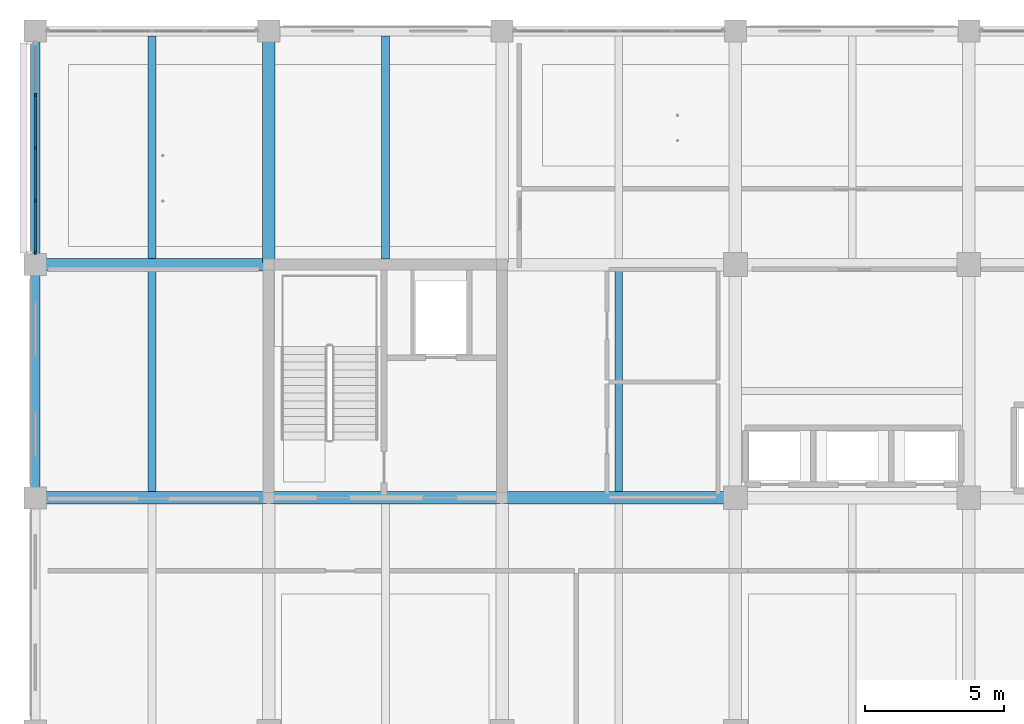
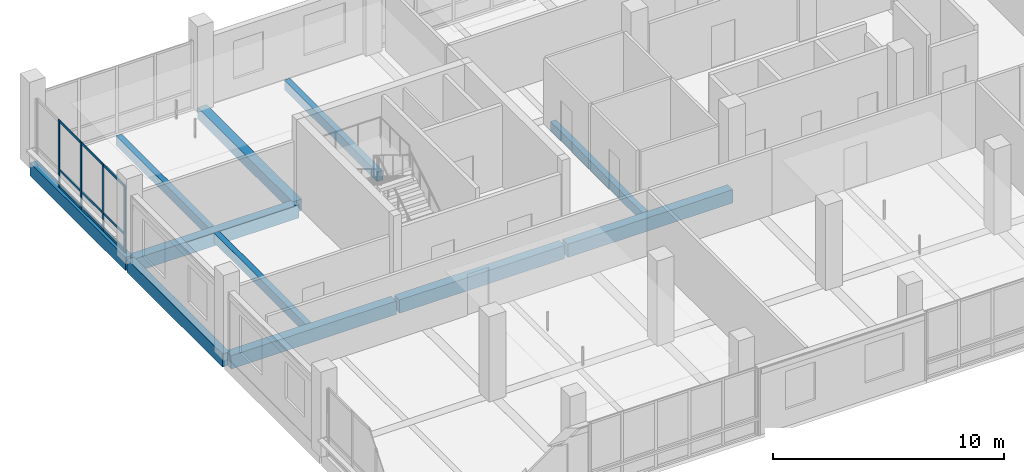
# One storey, part 4 of 36: 13 members, 11 beams, 1 element without a shape of its own.
"""IFC4 building model written with IfcOpenShell, lengths in metres."""

import ifcopenshell
import ifcopenshell.guid

model = None  # the IFC model being written
_history = None  # IfcOwnerHistory: only IFC2X3 demands one
_inside = {}  # id of a spatial element -> (the spatial element, [elements in it])
_under = {}  # id of a project, library or spatial element -> (it, [spatial elements below it])
_declared = {}  # id of a project -> (the project, [libraries it declares])
_typed = {}  # id of a type object -> (the type object, [elements of that type])
_made_of = {}  # id of a material, layer set ... -> (it, [elements and type objects made of it])


def new_model(schema):
    """Start an empty IFC model of exactly this schema.

    Asked for "IFC4X3", IfcOpenShell would pick the latest addendum, in which some entities
    have other attributes; the version numbers below select the first issue.
    IFC2X3 requires an IfcOwnerHistory on every rooted entity: one is made here for all.
    """
    global model, _history
    if schema == "IFC4X3":
        model = ifcopenshell.file(schema_version=(4, 3, 0, 0))
    else:
        model = ifcopenshell.file(schema=schema)
    _inside.clear()
    _under.clear()
    _declared.clear()
    _typed.clear()
    _made_of.clear()
    _history = None
    if model.schema == "IFC2X3":
        org = make("IfcOrganization", Name="unknown")
        user = make(
            "IfcPersonAndOrganization",
            ThePerson=make("IfcPerson", FamilyName="unknown"),
            TheOrganization=org,
        )
        app = make(
            "IfcApplication",
            ApplicationDeveloper=org,
            Version="unknown",
            ApplicationFullName="unknown",
            ApplicationIdentifier="unknown",
        )
        _history = make(
            "IfcOwnerHistory",
            OwningUser=user,
            OwningApplication=app,
            ChangeAction="ADDED",
            CreationDate=0,
        )
    return model


def make(cls, **values):
    """One entity of the class cls with the attributes given. An attribute that is None is left unset."""
    return model.create_entity(
        cls, **{name: value for name, value in values.items() if value is not None}
    )


def rooted(cls, **values):
    """An entity with a GlobalId (a new one), such as an element, a storey or a relation."""
    return make(cls, GlobalId=ifcopenshell.guid.new(), OwnerHistory=_history, **values)


def si_unit(unit_type, name, prefix=None):
    """IfcSIUnit, for example si_unit("LENGTHUNIT", "METRE", prefix="MILLI")."""
    return make("IfcSIUnit", UnitType=unit_type, Prefix=prefix, Name=name)


def assignment(units):
    """IfcUnitAssignment: the units of a project."""
    return None if units is None else make("IfcUnitAssignment", Units=units)


def point(xyz):
    """IfcCartesianPoint."""
    return None if xyz is None else make("IfcCartesianPoint", Coordinates=xyz)


def direction(xyz):
    """IfcDirection."""
    return None if xyz is None else make("IfcDirection", DirectionRatios=xyz)


def frame(location, z_axis=None, x_axis=None):
    """IfcAxis2Placement3D, a coordinate frame: its origin and axes. An axis left out is left unset."""
    return make(
        "IfcAxis2Placement3D",
        Location=point(location),
        Axis=direction(z_axis),
        RefDirection=direction(x_axis),
    )


def frame_2d(location, x_axis=None):
    """IfcAxis2Placement2D, a coordinate frame in the plane: its origin and x axis."""
    return make(
        "IfcAxis2Placement2D", Location=point(location), RefDirection=direction(x_axis)
    )


def origin():
    """The frame at (0, 0, 0) with its axes left unset."""
    return frame((0.0, 0.0, 0.0))


def origin_2d():
    """The frame at (0, 0) in the plane with its x axis left unset."""
    return frame_2d((0.0, 0.0))


def place(relative_to, where):
    """IfcLocalPlacement: puts the frame where relative to a parent placement (None: the world)."""
    return make(
        "IfcLocalPlacement", PlacementRelTo=relative_to, RelativePlacement=where
    )


def context(
    kind, dimensions, precision=None, world=None, true_north=None, identifier=None
):
    """IfcGeometricRepresentationContext, for example the 3D "Model" context."""
    return make(
        "IfcGeometricRepresentationContext",
        ContextIdentifier=identifier,
        ContextType=kind,
        CoordinateSpaceDimension=dimensions,
        Precision=precision,
        WorldCoordinateSystem=world,
        TrueNorth=true_north,
    )


def subcontext(parent, identifier, kind, view, scale=None):
    """IfcGeometricRepresentationSubContext, for example "Body" below "Model"."""
    return make(
        "IfcGeometricRepresentationSubContext",
        ContextIdentifier=identifier,
        ContextType=kind,
        ParentContext=parent,
        TargetScale=scale,
        TargetView=view,
    )


def project(units=None, contexts=None):
    """IfcProject with its units and contexts."""
    return rooted(
        "IfcProject",
        Name="project",
        RepresentationContexts=contexts,
        UnitsInContext=assignment(units),
    )


def spatial(cls, under=None, at=None, **own):
    """A site, building, storey or space (cls), placed at a placement, below another one or the project."""
    s = rooted(cls, ObjectPlacement=at, **own)
    if under is not None:
        _under.setdefault(under.id(), (under, []))[1].append(s)
    return s


def profile(cls, at=None, kind="AREA", **sizes):
    """A parametric profile (cls). Its sizes go by their IFC names, for example OverallWidth=200.0."""
    return make(cls, ProfileType=kind, Position=at, **sizes)


def rectangle(**sizes):
    """IfcRectangleProfileDef."""
    return profile("IfcRectangleProfileDef", **sizes)


def extrude(swept, where, along, depth):
    """IfcExtrudedAreaSolid: the profile swept, set in the frame where, extruded along a direction by depth."""
    return make(
        "IfcExtrudedAreaSolid",
        SweptArea=swept,
        Position=where,
        ExtrudedDirection=direction(along),
        Depth=depth,
    )


def shape(context_of_items, identifier, shape_type, items):
    """IfcShapeRepresentation: the items that make up one representation, for example the "Body"."""
    return make(
        "IfcShapeRepresentation",
        ContextOfItems=context_of_items,
        RepresentationIdentifier=identifier,
        RepresentationType=shape_type,
        Items=items,
    )


def material(Name=None, Category=None):
    """IfcMaterial."""
    return make("IfcMaterial", Name=Name, Category=Category)


def layer(
    of_material, thickness, ventilated=None, Name=None, Category=None, Priority=None
):
    """IfcMaterialLayer: one layer of a wall or slab, of a material (None: an air gap)."""
    return make(
        "IfcMaterialLayer",
        Material=of_material,
        LayerThickness=thickness,
        IsVentilated=ventilated,
        Name=Name,
        Category=Category,
        Priority=Priority,
    )


def layer_set(layers, Name=None):
    """IfcMaterialLayerSet."""
    return make("IfcMaterialLayerSet", MaterialLayers=layers, LayerSetName=Name)


def material_profile(
    of_material, cross_section, Name=None, Category=None, Priority=None
):
    """IfcMaterialProfile: a cross section and its material."""
    return make(
        "IfcMaterialProfile",
        Name=Name,
        Material=of_material,
        Profile=cross_section,
        Priority=Priority,
        Category=Category,
    )


def profile_set(profiles, Name=None, composite=None):
    """IfcMaterialProfileSet."""
    return make(
        "IfcMaterialProfileSet",
        Name=Name,
        MaterialProfiles=profiles,
        CompositeProfile=composite,
    )


def made_of(thing, what):
    """Note that an element or type object is made of a material, layer set ...; save() writes the relation."""
    if what is not None:
        _made_of.setdefault(what.id(), (what, []))[1].append(thing)
    return thing


def type_object(cls, material=None, **own):
    """A type object (cls), such as IfcWallType, which elements share."""
    return made_of(rooted(cls, **own), material)


def element(
    cls,
    number,
    at=None,
    inside=None,
    cuts=None,
    type_object=None,
    material=None,
    context=None,
    identifier="Body",
    shape_type=None,
    held_by="IfcProductDefinitionShape",
    body=None,
    shapes=None,
    **own,
):
    """One element of the class cls, such as IfcWall. Its Tag is "e" and its number.

    at: its placement. inside: the storey or other place that contains it. cuts: it is an
    opening in that element (IfcRelVoidsElement). A single representation is given by context,
    identifier, shape_type and body (its items); several are given by shapes. held_by: the class
    of the entity that holds the representations. save() writes the other relations.
    """
    e = rooted(cls, Tag="e%d" % number, ObjectPlacement=at, **own)
    if body is not None:
        shapes = [shape(context, identifier, shape_type, body)]
    if shapes is not None:
        e.Representation = make(held_by, Representations=shapes)
    if inside is not None:
        _inside.setdefault(inside.id(), (inside, []))[1].append(e)
    if cuts is not None:
        rooted(
            "IfcRelVoidsElement", RelatingBuildingElement=cuts, RelatedOpeningElement=e
        )
    if type_object is not None:
        _typed.setdefault(type_object.id(), (type_object, []))[1].append(e)
    return made_of(e, material)


def aggregate(whole, parts):
    """IfcRelAggregates: a whole, such as a stair, and the parts it consists of."""
    return rooted("IfcRelAggregates", RelatingObject=whole, RelatedObjects=parts)


def save(model, path):
    """Write the relations noted so far, then the file.

    IfcRelAggregates (storeys below a building ...), IfcRelContainedInSpatialStructure (elements
    in a storey), IfcRelDefinesByType, IfcRelAssociatesMaterial and IfcRelDeclares: one each for
    every whole, place, type object, material and project.
    """
    for whole, parts in _under.values():
        aggregate(whole, parts)
    for where, things in _inside.values():
        rooted(
            "IfcRelContainedInSpatialStructure",
            RelatedElements=things,
            RelatingStructure=where,
        )
    for kind, things in _typed.values():
        rooted("IfcRelDefinesByType", RelatedObjects=things, RelatingType=kind)
    for what, things in _made_of.values():
        rooted("IfcRelAssociatesMaterial", RelatedObjects=things, RelatingMaterial=what)
    for by, libraries in _declared.values():
        rooted("IfcRelDeclares", RelatingContext=by, RelatedDefinitions=libraries)
    model.write(path)


model = new_model("IFC4")

# Units and contexts
model_context = context("Model", 3, precision=1e-05, world=origin(), true_north=direction((0.0, 1.0)))
body_context = subcontext(model_context, "Body", "Model", "MODEL_VIEW")
ifc_project = project(units=[si_unit("LENGTHUNIT", "METRE"), si_unit("AREAUNIT", "SQUARE_METRE"), si_unit("VOLUMEUNIT", "CUBIC_METRE"), si_unit("PLANEANGLEUNIT", "RADIAN"), si_unit("MASSUNIT", "GRAM", prefix="KILO")], contexts=[model_context])

# Site, building, storey
site_placement = place(None, origin())
site = spatial("IfcSite", under=ifc_project, at=site_placement, CompositionType="ELEMENT")
building_placement = place(site_placement, origin())
building = spatial("IfcBuilding", under=site, at=building_placement, Name="Telukmera Botanical Conservatory", CompositionType="ELEMENT")
storey_placement = place(building_placement, frame((0.0, 0.0, 33.0)))
storey = spatial("IfcBuildingStorey", under=building, at=storey_placement, Name="L07", CompositionType="ELEMENT", Elevation=33.0)

# Beams
ifc_material_1 = material(Name="Concrete C40/50", Category="concrete")
ifc_material_profile_1 = material_profile(ifc_material_1, rectangle(XDim=0.449951171875, YDim=0.699951171875, at=origin_2d()), Name="RC 450x700")
ifc_profile_set_1 = profile_set([ifc_material_profile_1], Name="Concrete C40/50")
beam_type_1 = type_object("IfcBeamType", Name="Beam_B15", PredefinedType="BEAM", material=ifc_profile_set_1)
beam_1_placement = place(storey_placement, frame((50.47998046875, 26.0, -0.35009765625), z_axis=(1.0, 0.0, 0.0), x_axis=(0.0, 1.0, 0.0)))
element("IfcBeam", 1, at=beam_1_placement, inside=storey, type_object=beam_type_1, Name="Tower Grid Beam L07", PredefinedType="BEAM", context=body_context, shape_type="SweptSolid", body=[
    extrude(rectangle(XDim=0.449951171875, YDim=0.699951171875, at=origin_2d()), origin(), (0.0, 0.0, 1.0), 8.239990234375),
])
beam_2_placement = place(storey_placement, frame((58.8798828125, 26.0, -0.35009765625), z_axis=(1.0, 0.0, 0.0), x_axis=(0.0, 1.0, 0.0)))
element("IfcBeam", 2, at=beam_2_placement, inside=storey, type_object=beam_type_1, Name="Tower Grid Beam L07", PredefinedType="BEAM", context=body_context, shape_type="SweptSolid", body=[
    extrude(rectangle(XDim=0.449951171875, YDim=0.699951171875, at=origin_2d()), origin(), (0.0, 0.0, 1.0), 8.240234375),
])
for number, where, z_axis, x_axis, name in (
    (3, (67.280029296875, 26.0, -0.35009765625), (1.0, 0.0, 0.0), (0.0, 1.0, 0.0), "Tower Grid Beam L07"),
    (4, (50.47998046875, 34.39990234375, -0.35009765625), (1.0, 0.0, 0.0), (0.0, 1.0, 0.0), "Tower Grid Beam L07"),
):
    element("IfcBeam", number, at=place(storey_placement, frame(where, z_axis=z_axis, x_axis=x_axis)), inside=storey, type_object=beam_type_1, Name=name, PredefinedType="BEAM", context=body_context, shape_type="SweptSolid", body=[
        extrude(rectangle(XDim=0.449951171875, YDim=0.699951171875, at=origin_2d()), origin(), (0.0, 0.0, 1.0), 8.239990234375),
    ])
ifc_material_profile_2 = material_profile(ifc_material_1, rectangle(XDim=0.449951171875, YDim=0.60009765625, at=origin_2d()), Name="RC 450x600")
ifc_profile_set_2 = profile_set([ifc_material_profile_2], Name="Concrete C40/50")
beam_type_2 = type_object("IfcBeamType", Name="Beam_B17", PredefinedType="BEAM", material=ifc_profile_set_2)
beam_3_placement = place(storey_placement, frame((58.800048828125, 34.47998046875, -0.300048828125), z_axis=(0.0, 1.0, 0.0), x_axis=(-1.0, 0.0, 0.0)))
element("IfcBeam", 5, at=beam_3_placement, inside=storey, type_object=beam_type_2, Name="Tower Transverse Beam L07", PredefinedType="BEAM", context=body_context, shape_type="SweptSolid", body=[
    extrude(rectangle(XDim=0.449951171875, YDim=0.60009765625, at=origin_2d()), origin(), (0.0, 0.0, 1.0), 8.239990234375),
])
ifc_material_profile_3 = material_profile(ifc_material_1, rectangle(XDim=0.280029296875, YDim=0.5, at=origin_2d()), Name="RC 280x500")
ifc_profile_set_3 = profile_set([ifc_material_profile_3], Name="Concrete C40/50")
beam_type_3 = type_object("IfcBeamType", Name="Beam_B26", PredefinedType="JOIST", material=ifc_profile_set_3)
beam_4_placement = place(storey_placement, frame((54.60009765625, 26.22509765625, -0.25), z_axis=(0.0, 1.0, 0.0), x_axis=(-1.0, 0.0, 0.0)))
element("IfcBeam", 6, at=beam_4_placement, inside=storey, type_object=beam_type_3, Name="Tower Secondary Floor Joist L07", PredefinedType="JOIST", context=body_context, shape_type="SweptSolid", body=[
    extrude(rectangle(XDim=0.280029296875, YDim=0.5, at=origin_2d()), origin(), (0.0, 0.0, 1.0), 7.949951171875),
])
beam_5_placement = place(storey_placement, frame((54.60009765625, 34.625, -0.25), z_axis=(0.0, 1.0, 0.0), x_axis=(-1.0, 0.0, 0.0)))
element("IfcBeam", 7, at=beam_5_placement, inside=storey, type_object=beam_type_3, Name="Tower Secondary Floor Joist L07", PredefinedType="JOIST", context=body_context, shape_type="SweptSolid", body=[
    extrude(rectangle(XDim=0.280029296875, YDim=0.5, at=origin_2d()), origin(), (0.0, 0.0, 1.0), 8.0),
])
beam_6_placement = place(storey_placement, frame((63.0, 34.60009765625, -0.25), z_axis=(0.0, 1.0, 0.0), x_axis=(-1.0, 0.0, 0.0)))
element("IfcBeam", 8, at=beam_6_placement, inside=storey, type_object=beam_type_3, Name="Tower Secondary Floor Joist L07", PredefinedType="JOIST", context=body_context, shape_type="SweptSolid", body=[
    extrude(rectangle(XDim=0.280029296875, YDim=0.5, at=origin_2d()), origin(), (0.0, 0.0, 1.0), 8.02490234375),
])
beam_7_placement = place(storey_placement, frame((71.39990234375, 26.22509765625, -0.25), z_axis=(0.0, 1.0, 0.0), x_axis=(-1.0, 0.0, 0.0)))
element("IfcBeam", 9, at=beam_7_placement, inside=storey, type_object=beam_type_3, Name="Tower Secondary Floor Joist L07", PredefinedType="JOIST", context=body_context, shape_type="SweptSolid", body=[
    extrude(rectangle(XDim=0.280029296875, YDim=0.5, at=origin_2d()), origin(), (0.0, 0.0, 1.0), 7.949951171875),
])
ifc_material_2 = material(Name="Precast concrete C40/50", Category="concrete")
ifc_material_profile_4 = material_profile(ifc_material_2, rectangle(XDim=0.35009765625, YDim=0.699951171875, at=origin_2d()), Name="PC 350x700")
ifc_profile_set_4 = profile_set([ifc_material_profile_4], Name="Precast concrete C40/50")
beam_type_4 = type_object("IfcBeamType", Name="Beam_SP2", PredefinedType="SPANDREL", material=ifc_profile_set_4)
for number, where, z_axis, x_axis, name in (
    (10, (50.39990234375, 26.080078125, -0.35009765625), (0.0, 1.0, 0.0), (-1.0, 0.0, 0.0), "Tower Transverse Beam L07"),
    (11, (50.39990234375, 34.47998046875, -0.35009765625), (0.0, 1.0, 0.0), (-1.0, 0.0, 0.0), "Tower Transverse Beam L07"),
):
    element("IfcBeam", number, at=place(storey_placement, frame(where, z_axis=z_axis, x_axis=x_axis)), inside=storey, type_object=beam_type_4, Name=name, PredefinedType="SPANDREL", context=body_context, shape_type="SweptSolid", body=[
        extrude(rectangle(XDim=0.35009765625, YDim=0.699951171875, at=origin_2d()), origin(), (0.0, 0.0, 1.0), 8.239990234375),
    ])

# Curtain wall, members
ifc_material_3 = material(Name="Anodised aluminium 6063-T6", Category="aluminium")
ifc_layer = layer(ifc_material_3, 0.179931640625)
ifc_layer_set = layer_set([ifc_layer], Name="Anodised aluminium 6063-T6")
curtain_wall_type = type_object("IfcCurtainWallType", Name="Tower Research Laboratory Unitised Curtain Wall", PredefinedType="USERDEFINED", material=ifc_layer_set)
curtain_wall_placement = place(storey_placement, origin())
curtain_wall = element("IfcCurtainWall", 12, at=curtain_wall_placement, inside=storey, type_object=curtain_wall_type, Name="Unitised Curtain Wall CW15 V4:L07:W4", ObjectType="UNITISED CURTAIN WALL", PredefinedType="USERDEFINED")
ifc_material_profile_5 = material_profile(ifc_material_3, rectangle(XDim=0.06005859375, YDim=0.139892578125, at=origin_2d()), Name="ALU MULL 60x140")
ifc_profile_set_5 = profile_set([ifc_material_profile_5], Name="Anodised aluminium 6063-T6")
member_type_1 = type_object("IfcMemberType", Name="Curtain Wall Extruded Mullion 60x140", PredefinedType="MULLION", material=ifc_profile_set_5)
member_1_placement = place(storey_placement, frame((50.39990234375, 34.83203125, 0.0), z_axis=(0.0, 0.0, 1.0), x_axis=(-1.0, 0.0, 0.0)))
member_1 = element("IfcMember", 13, at=member_1_placement, type_object=member_type_1, Name="CW15 mullion 1", PredefinedType="MULLION", context=body_context, shape_type="SweptSolid", body=[
    extrude(rectangle(XDim=0.06005859375, YDim=0.139892578125, at=origin_2d()), origin(), (0.0, 0.0, 1.0), 3.550048828125),
])
member_2_placement = place(storey_placement, frame((50.39990234375, 36.700927734375, 0.0), z_axis=(0.0, 0.0, 1.0), x_axis=(-1.0, 0.0, 0.0)))
member_2 = element("IfcMember", 14, at=member_2_placement, type_object=member_type_1, Name="CW15 mullion 2", PredefinedType="MULLION", context=body_context, shape_type="SweptSolid", body=[
    extrude(rectangle(XDim=0.06005859375, YDim=0.139892578125, at=origin_2d()), origin(), (0.0, 0.0, 1.0), 3.550048828125),
])
member_3_placement = place(storey_placement, frame((50.39990234375, 38.60009765625, 0.0), z_axis=(0.0, 0.0, 1.0), x_axis=(-1.0, 0.0, 0.0)))
member_3 = element("IfcMember", 15, at=member_3_placement, type_object=member_type_1, Name="CW15 mullion 3", PredefinedType="MULLION", context=body_context, shape_type="SweptSolid", body=[
    extrude(rectangle(XDim=0.06005859375, YDim=0.139892578125, at=origin_2d()), origin(), (0.0, 0.0, 1.0), 3.550048828125),
])
member_4_placement = place(storey_placement, frame((50.39990234375, 40.4990234375, 0.0), z_axis=(0.0, 0.0, 1.0), x_axis=(-1.0, 0.0, 0.0)))
member_4 = element("IfcMember", 16, at=member_4_placement, type_object=member_type_1, Name="CW15 mullion 4", PredefinedType="MULLION", context=body_context, shape_type="SweptSolid", body=[
    extrude(rectangle(XDim=0.06005859375, YDim=0.139892578125, at=origin_2d()), origin(), (0.0, 0.0, 1.0), 3.550048828125),
])
ifc_material_profile_6 = material_profile(ifc_material_3, rectangle(XDim=0.06005859375, YDim=0.110107421875, at=origin_2d()), Name="ALU TRAN 60x110")
ifc_profile_set_6 = profile_set([ifc_material_profile_6], Name="Anodised aluminium 6063-T6")
member_type_2 = type_object("IfcMemberType", Name="Curtain Wall Extruded Transom 60x110", PredefinedType="USERDEFINED", material=ifc_profile_set_6)
member_5_placement = place(storey_placement, frame((50.39990234375, 34.862060546875, 0.054931640625), z_axis=(0.0, 1.0, 0.0), x_axis=(-1.0, 0.0, 0.0)))
member_5 = element("IfcMember", 17, at=member_5_placement, type_object=member_type_2, Name="CW15 transom 1.1", ObjectType="TRANSOM", PredefinedType="USERDEFINED", context=body_context, shape_type="SweptSolid", body=[
    extrude(rectangle(XDim=0.06005859375, YDim=0.110107421875, at=origin_2d()), origin(), (0.0, 0.0, 1.0), 1.808837890625),
])
member_6_placement = place(storey_placement, frame((50.39990234375, 34.862060546875, 0.949951171875), z_axis=(0.0, 1.0, 0.0), x_axis=(-1.0, 0.0, 0.0)))
member_6 = element("IfcMember", 18, at=member_6_placement, type_object=member_type_2, Name="CW15 transom 1.2", ObjectType="TRANSOM", PredefinedType="USERDEFINED", context=body_context, shape_type="SweptSolid", body=[
    extrude(rectangle(XDim=0.06005859375, YDim=0.110107421875, at=origin_2d()), origin(), (0.0, 0.0, 1.0), 1.808837890625),
])
member_7_placement = place(storey_placement, frame((50.39990234375, 34.862060546875, 3.4951171875), z_axis=(0.0, 1.0, 0.0), x_axis=(-1.0, 0.0, 0.0)))
member_7 = element("IfcMember", 19, at=member_7_placement, type_object=member_type_2, Name="CW15 transom 1.3", ObjectType="TRANSOM", PredefinedType="USERDEFINED", context=body_context, shape_type="SweptSolid", body=[
    extrude(rectangle(XDim=0.06005859375, YDim=0.110107421875, at=origin_2d()), origin(), (0.0, 0.0, 1.0), 1.808837890625),
])
member_8_placement = place(storey_placement, frame((50.39990234375, 36.73095703125, 0.054931640625), z_axis=(0.0, 1.0, 0.0), x_axis=(-1.0, 0.0, 0.0)))
member_8 = element("IfcMember", 20, at=member_8_placement, type_object=member_type_2, Name="CW15 transom 2.1", ObjectType="TRANSOM", PredefinedType="USERDEFINED", context=body_context, shape_type="SweptSolid", body=[
    extrude(rectangle(XDim=0.06005859375, YDim=0.110107421875, at=origin_2d()), origin(), (0.0, 0.0, 1.0), 1.839111328125),
])
member_9_placement = place(storey_placement, frame((50.39990234375, 36.73095703125, 0.949951171875), z_axis=(0.0, 1.0, 0.0), x_axis=(-1.0, 0.0, 0.0)))
member_9 = element("IfcMember", 21, at=member_9_placement, type_object=member_type_2, Name="CW15 transom 2.2", ObjectType="TRANSOM", PredefinedType="USERDEFINED", context=body_context, shape_type="SweptSolid", body=[
    extrude(rectangle(XDim=0.06005859375, YDim=0.110107421875, at=origin_2d()), origin(), (0.0, 0.0, 1.0), 1.839111328125),
])
member_10_placement = place(storey_placement, frame((50.39990234375, 36.73095703125, 3.4951171875), z_axis=(0.0, 1.0, 0.0), x_axis=(-1.0, 0.0, 0.0)))
member_10 = element("IfcMember", 22, at=member_10_placement, type_object=member_type_2, Name="CW15 transom 2.3", ObjectType="TRANSOM", PredefinedType="USERDEFINED", context=body_context, shape_type="SweptSolid", body=[
    extrude(rectangle(XDim=0.06005859375, YDim=0.110107421875, at=origin_2d()), origin(), (0.0, 0.0, 1.0), 1.839111328125),
])
member_11_placement = place(storey_placement, frame((50.39990234375, 38.6298828125, 0.054931640625), z_axis=(0.0, 1.0, 0.0), x_axis=(-1.0, 0.0, 0.0)))
member_11 = element("IfcMember", 23, at=member_11_placement, type_object=member_type_2, Name="CW15 transom 3.1", ObjectType="TRANSOM", PredefinedType="USERDEFINED", context=body_context, shape_type="SweptSolid", body=[
    extrude(rectangle(XDim=0.06005859375, YDim=0.110107421875, at=origin_2d()), origin(), (0.0, 0.0, 1.0), 1.839111328125),
])
member_12_placement = place(storey_placement, frame((50.39990234375, 38.6298828125, 0.949951171875), z_axis=(0.0, 1.0, 0.0), x_axis=(-1.0, 0.0, 0.0)))
member_12 = element("IfcMember", 24, at=member_12_placement, type_object=member_type_2, Name="CW15 transom 3.2", ObjectType="TRANSOM", PredefinedType="USERDEFINED", context=body_context, shape_type="SweptSolid", body=[
    extrude(rectangle(XDim=0.06005859375, YDim=0.110107421875, at=origin_2d()), origin(), (0.0, 0.0, 1.0), 1.839111328125),
])
member_13_placement = place(storey_placement, frame((50.39990234375, 38.6298828125, 3.4951171875), z_axis=(0.0, 1.0, 0.0), x_axis=(-1.0, 0.0, 0.0)))
member_13 = element("IfcMember", 25, at=member_13_placement, type_object=member_type_2, Name="CW15 transom 3.3", ObjectType="TRANSOM", PredefinedType="USERDEFINED", context=body_context, shape_type="SweptSolid", body=[
    extrude(rectangle(XDim=0.06005859375, YDim=0.110107421875, at=origin_2d()), origin(), (0.0, 0.0, 1.0), 1.839111328125),
])
aggregate(curtain_wall, [member_1, member_2, member_3, member_4, member_5, member_6, member_7, member_8, member_9, member_10, member_11, member_12, member_13])

save(model, "model.ifc")
